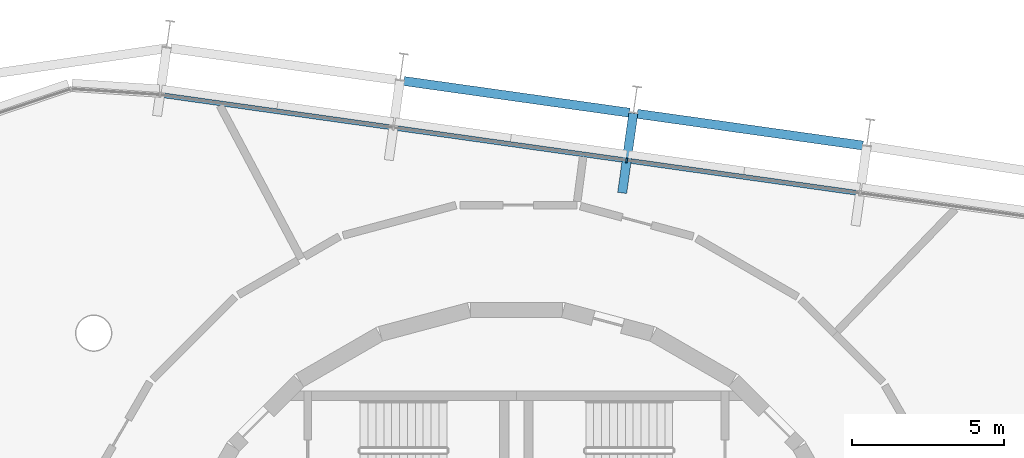
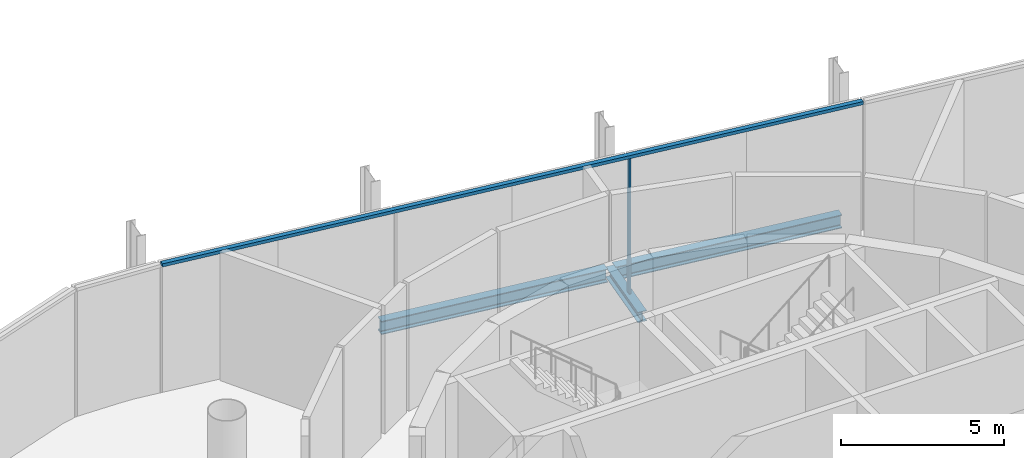
# One storey, part 6 of 12: 3 beams, 2 members, 1 element without a shape of its own.
"""IFC4 building model written with IfcOpenShell, lengths in metres."""

from ifc_helpers import new_model, si_unit, direction, frame, origin, origin_2d, place, context, subcontext, project, spatial, rectangle, i_section, extrude, material, layer, layer_set, material_profile, profile_set, type_object, element, aggregate, save


model = new_model("IFC4")

# Units and contexts
model_context = context("Model", 3, precision=1e-05, world=origin(), true_north=direction((0.0, 1.0)))
body_context = subcontext(model_context, "Body", "Model", "MODEL_VIEW")
ifc_project = project(units=[si_unit("LENGTHUNIT", "METRE"), si_unit("AREAUNIT", "SQUARE_METRE"), si_unit("VOLUMEUNIT", "CUBIC_METRE"), si_unit("PLANEANGLEUNIT", "RADIAN"), si_unit("MASSUNIT", "GRAM", prefix="KILO")], contexts=[model_context])

# Site, building, storey
site_placement = place(None, origin())
site = spatial("IfcSite", under=ifc_project, at=site_placement, CompositionType="ELEMENT")
building_placement = place(site_placement, origin())
building = spatial("IfcBuilding", under=site, at=building_placement, Name="Spindle Arch Residences", CompositionType="ELEMENT")
storey_placement = place(building_placement, frame((0.0, 0.0, 361.0)))
storey = spatial("IfcBuildingStorey", under=building, at=storey_placement, Name="L93", CompositionType="ELEMENT", Elevation=361.0)

# Curtain wall, members
ifc_material_1 = material(Name="Aluminium bronze unitised frame with tinted glass", Category="aluminium")
ifc_layer = layer(ifc_material_1, 0.159912109375)
ifc_layer_set = layer_set([ifc_layer], Name="CW-F crown plant glazed wall")
curtain_wall_type = type_object("IfcCurtainWallType", Name="CW-F crown plant glazed wall", PredefinedType="NOTDEFINED", material=ifc_layer_set)
curtain_wall_placement = place(storey_placement, origin())
curtain_wall = element("IfcCurtainWall", 1, at=curtain_wall_placement, inside=storey, type_object=curtain_wall_type, Name="CW-F L93 run 2", PredefinedType="NOTDEFINED")
ifc_material_2 = material(Name="Aluminium bronze anodised mullion", Category="aluminium")
ifc_material_profile_1 = material_profile(ifc_material_2, rectangle(XDim=0.159912109375, YDim=0.06005859375, at=origin_2d()), Name="MU 60x160")
ifc_profile_set_1 = profile_set([ifc_material_profile_1], Name="Aluminium bronze anodised mullion")
member_type_1 = type_object("IfcMemberType", Name="Bronze mullion 60x160", PredefinedType="MULLION", material=ifc_profile_set_1)
member_1_placement = place(storey_placement, frame((3.63623046875, 16.57373046875, -0.3798828125), z_axis=(0.0, 0.0, 1.0), x_axis=(-0.13917310096, -0.990268068742, 0.0)))
member_1 = element("IfcMember", 2, at=member_1_placement, type_object=member_type_1, Name="CW-F mullion 06", PredefinedType="MULLION", context=body_context, shape_type="SweptSolid", body=[
    extrude(rectangle(XDim=0.159912109375, YDim=0.06005859375, at=origin_2d()), origin(), (0.0, 0.0, 1.0), 5.079833984375),
])
ifc_material_3 = material(Name="Aluminium bronze anodised transom", Category="aluminium")
ifc_material_profile_2 = material_profile(ifc_material_3, rectangle(XDim=0.159912109375, YDim=0.1201171875, at=origin_2d()), Name="TR 120x160")
ifc_profile_set_2 = profile_set([ifc_material_profile_2], Name="Aluminium bronze anodised transom")
member_type_2 = type_object("IfcMemberType", Name="Bronze transom 120x160", PredefinedType="USERDEFINED", material=ifc_profile_set_2)
member_2_placement = place(storey_placement, frame((11.296630859375, 15.4970703125, 4.760009765625), z_axis=(-0.990268437621, 0.13917047622, 0.0), x_axis=(-0.13917047622, -0.990268437621, 0.0)))
member_2 = element("IfcMember", 3, at=member_2_placement, type_object=member_type_2, Name="CW-F transom 00", ObjectType="TRANSOM", PredefinedType="USERDEFINED", context=body_context, shape_type="SweptSolid", body=[
    extrude(rectangle(XDim=0.159912109375, YDim=0.1201171875, at=origin_2d()), origin(), (0.0, 0.0, 1.0), 23.23681640625),
])
aggregate(curtain_wall, [member_2, member_1])

# Beams
ifc_material_4 = material(Name="Steel S460ML, intumescent coating R 120", Category="steel")
ifc_material_profile_3 = material_profile(ifc_material_4, i_section(OverallWidth=0.300048828125, OverallDepth=0.5, WebThickness=0.014404296875, FlangeThickness=0.028076171875, FilletRadius=0.027099609375, at=origin_2d()), Name="HEB 500")
ifc_profile_set_3 = profile_set([ifc_material_profile_3], Name="Steel S460ML, intumescent coating R 120")
beam_type_1 = type_object("IfcBeamType", Name="Exoskeleton edge beam HEB 500", PredefinedType="BEAM", material=ifc_profile_set_3)
for number, where, z_axis, x_axis, name in (
    (4, (11.416015625, 17.065673828125, -0.6298828125), (-0.990266388354, 0.139185057015, 0.0), (-0.139185057015, -0.990266388354, 0.0), "Exoskeleton edge beam 6"),
    (5, (3.72607421875, 18.146484375, -0.6298828125), (-0.990270871131, 0.139153159463, 0.0), (-0.139153159463, -0.990270871131, 0.0), "Exoskeleton edge beam 7"),
):
    element("IfcBeam", number, at=place(storey_placement, frame(where, z_axis=z_axis, x_axis=x_axis)), inside=storey, type_object=beam_type_1, Name=name, PredefinedType="BEAM", context=body_context, shape_type="SweptSolid", body=[
        extrude(i_section(OverallWidth=0.300048828125, OverallDepth=0.5, WebThickness=0.014404296875, FlangeThickness=0.028076171875, FilletRadius=0.027099609375, at=origin_2d()), origin(), (0.0, 0.0, 1.0), 7.505615234375),
    ])
ifc_material_5 = material(Name="Steel S460ML, intumescent coating R 120", Category="steel")
ifc_material_profile_4 = material_profile(ifc_material_5, i_section(OverallWidth=0.300048828125, OverallDepth=0.389892578125, WebThickness=0.010986328125, FlangeThickness=0.01904296875, FilletRadius=0.027099609375, at=origin_2d()), Name="HEA 400")
ifc_profile_set_4 = profile_set([ifc_material_profile_4], Name="Steel S460ML, intumescent coating R 120")
beam_type_2 = type_object("IfcBeamType", Name="Floor outrigger HEA 400", PredefinedType="BEAM", material=ifc_profile_set_4)
beam_placement = place(storey_placement, frame((3.854736328125, 18.12841796875, -0.574951171875), z_axis=(-0.13911226088, -0.990276617351, 0.0), x_axis=(0.990276617351, -0.13911226088, 0.0)))
element("IfcBeam", 6, at=beam_placement, inside=storey, type_object=beam_type_2, Name="Floor outrigger 7", PredefinedType="BEAM", context=body_context, shape_type="SweptSolid", body=[
    extrude(i_section(OverallWidth=0.300048828125, OverallDepth=0.389892578125, WebThickness=0.010986328125, FlangeThickness=0.01904296875, FilletRadius=0.027099609375, at=origin_2d()), origin(), (0.0, 0.0, 1.0), 2.650146484375),
])

save(model, "model.ifc")
